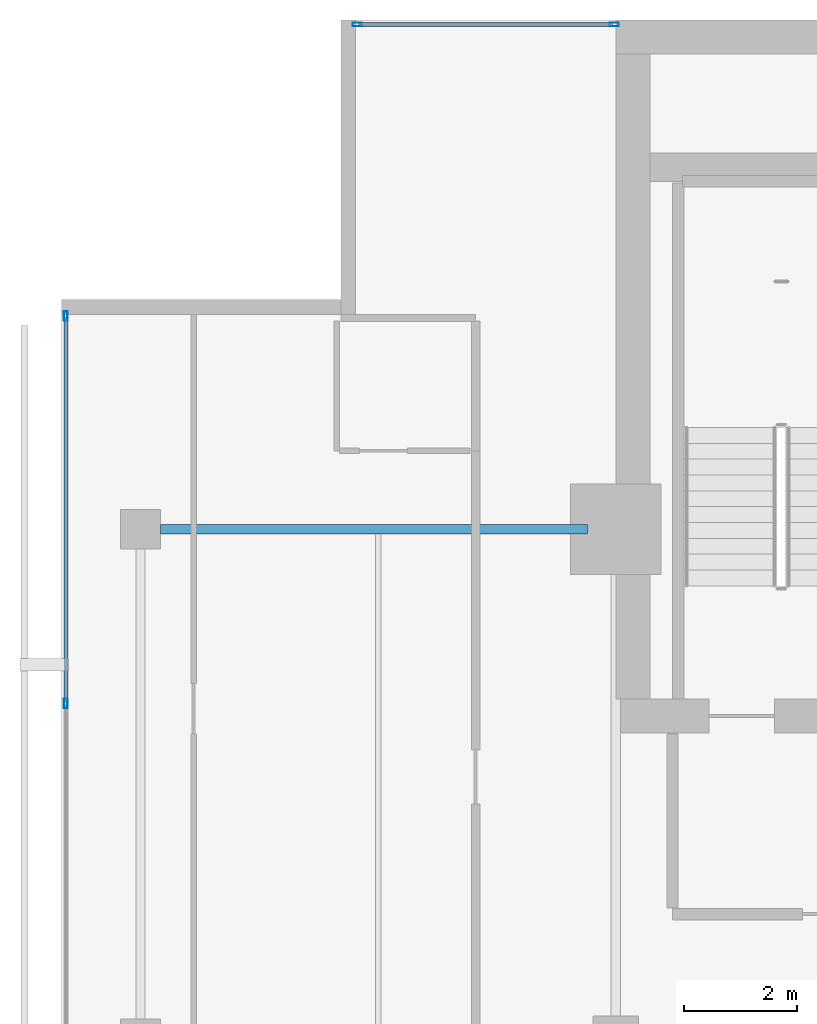
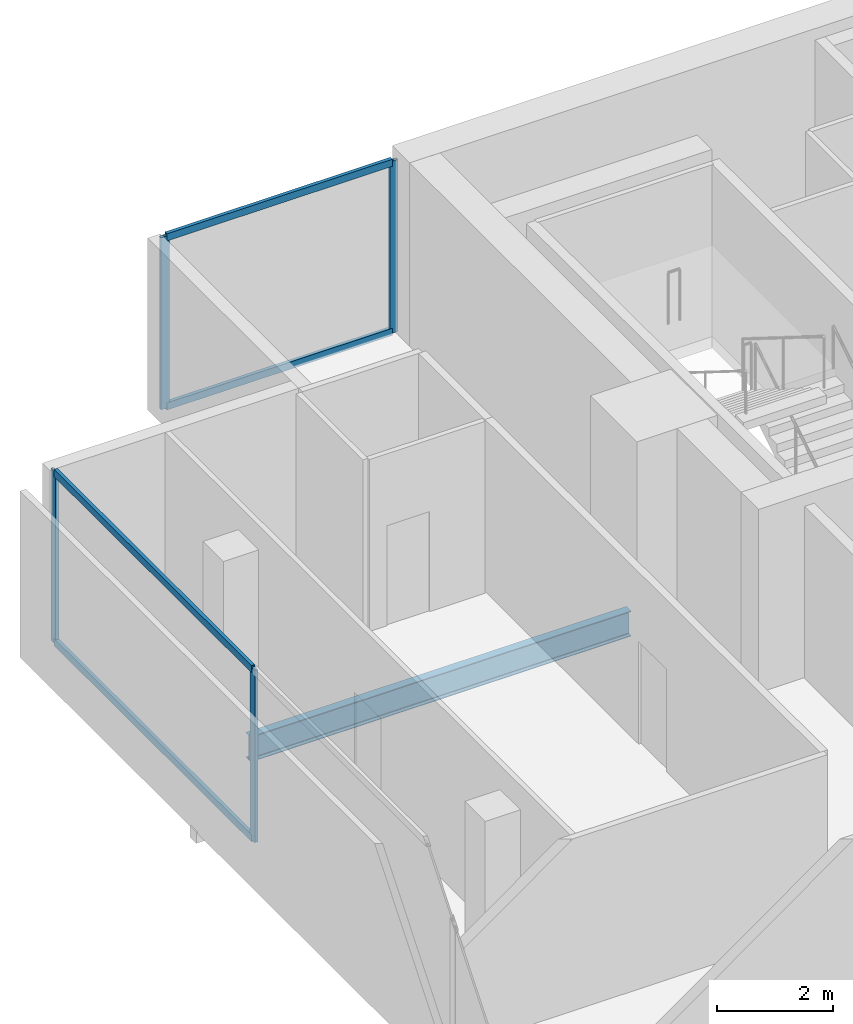
# One storey, part 16 of 25: 8 members, 1 beam, 2 elements without a shape of their own.
"""IFC4 building model written with IfcOpenShell, lengths in metres."""

from ifc_helpers import new_model, si_unit, direction, frame, origin, origin_2d, place, context, subcontext, project, spatial, hollow_rectangle, i_section, extrude, material, layer, layer_set, material_profile, profile_set, type_object, element, aggregate, save


model = new_model("IFC4")

# Units and contexts
model_context = context("Model", 3, precision=1e-05, world=origin(), true_north=direction((0.0, 1.0)))
body_context = subcontext(model_context, "Body", "Model", "MODEL_VIEW")
ifc_project = project(units=[si_unit("LENGTHUNIT", "METRE"), si_unit("AREAUNIT", "SQUARE_METRE"), si_unit("VOLUMEUNIT", "CUBIC_METRE"), si_unit("PLANEANGLEUNIT", "RADIAN"), si_unit("MASSUNIT", "GRAM", prefix="KILO")], contexts=[model_context])

# Site, building, storey
site_placement = place(None, origin())
site = spatial("IfcSite", under=ifc_project, at=site_placement, CompositionType="ELEMENT")
building_placement = place(site_placement, origin())
building = spatial("IfcBuilding", under=site, at=building_placement, Name="Maruvema Waterfront Hotel and Observation Tower", CompositionType="ELEMENT")
storey_placement = place(building_placement, frame((0.0, 0.0, 308.699951171875)))
storey = spatial("IfcBuildingStorey", under=building, at=storey_placement, Name="L76", CompositionType="ELEMENT", Elevation=308.699951171875)

# Curtain wall, members
ifc_material_1 = material(Name="Anodised bronze aluminium and solar-control low-E IGU", Category="aluminium")
ifc_layer = layer(ifc_material_1, 0.159912109375, Name="Zone 3 Champagne Inner Thermal Curtain Wall System CW-04")
ifc_layer_set = layer_set([ifc_layer], Name="Anodised bronze aluminium and solar-control low-E IGU")
curtain_wall_type = type_object("IfcCurtainWallType", Name="Zone 3 Champagne Inner Thermal Curtain Wall System CW-04", PredefinedType="USERDEFINED", material=ifc_layer_set)
curtain_wall_1_placement = place(storey_placement, origin())
curtain_wall_1 = element("IfcCurtainWall", 1, at=curtain_wall_1_placement, inside=storey, type_object=curtain_wall_type, Name="L76 Curtain Wall CW-L76-W", ObjectType="UNITISED CURTAIN WALL", PredefinedType="USERDEFINED")
ifc_material_2 = material(Name="Anodised architectural bronze aluminium", Category="aluminium")
ifc_material_profile_1 = material_profile(ifc_material_2, hollow_rectangle(XDim=0.070068359375, YDim=0.14990234375, WallThickness=0.00390625, at=origin_2d()), Name="ALU-T70x150")
ifc_profile_set_1 = profile_set([ifc_material_profile_1], Name="Anodised architectural bronze aluminium")
member_type_1 = type_object("IfcMemberType", Name="Curtain Wall Horizontal Transom ALU-T70x150", PredefinedType="USERDEFINED", material=ifc_profile_set_1)
member_1_placement = place(storey_placement, frame((15.47998046875, 48.739990234375, 0.030029296875), z_axis=(0.0, -1.0, 0.0), x_axis=(1.0, 0.0, 0.0)))
member_1 = element("IfcMember", 2, at=member_1_placement, type_object=member_type_1, Name="CW-04 transom 1.1", ObjectType="TRANSOM", PredefinedType="USERDEFINED", context=body_context, shape_type="SweptSolid", body=[
    extrude(hollow_rectangle(XDim=0.070068359375, YDim=0.14990234375, WallThickness=0.00390625, at=origin_2d()), origin(), (0.0, 0.0, 1.0), 6.7900390625),
])
member_2_placement = place(storey_placement, frame((15.47998046875, 48.739990234375, 3.580078125), z_axis=(0.0, -1.0, 0.0), x_axis=(1.0, 0.0, 0.0)))
member_2 = element("IfcMember", 3, at=member_2_placement, type_object=member_type_1, Name="CW-04 transom 1.2", ObjectType="TRANSOM", PredefinedType="USERDEFINED", context=body_context, shape_type="SweptSolid", body=[
    extrude(hollow_rectangle(XDim=0.070068359375, YDim=0.14990234375, WallThickness=0.00390625, at=origin_2d()), origin(), (0.0, 0.0, 1.0), 6.7900390625),
])

curtain_wall_2_placement = place(storey_placement, origin())
curtain_wall_2 = element("IfcCurtainWall", 4, at=curtain_wall_2_placement, inside=storey, type_object=curtain_wall_type, Name="L76 Curtain Wall CW-L76-NW", ObjectType="UNITISED CURTAIN WALL", PredefinedType="USERDEFINED")
member_3_placement = place(storey_placement, frame((25.139892578125, 53.919921875, 0.030029296875), z_axis=(-1.0, 0.0, 0.0), x_axis=(0.0, -1.0, 0.0)))
member_3 = element("IfcMember", 5, at=member_3_placement, type_object=member_type_1, Name="CW-04 transom 1.1", ObjectType="TRANSOM", PredefinedType="USERDEFINED", context=body_context, shape_type="SweptSolid", body=[
    extrude(hollow_rectangle(XDim=0.070068359375, YDim=0.14990234375, WallThickness=0.00390625, at=origin_2d()), origin(), (0.0, 0.0, 1.0), 4.47998046875),
])
member_4_placement = place(storey_placement, frame((25.139892578125, 53.919921875, 3.580078125), z_axis=(-1.0, 0.0, 0.0), x_axis=(0.0, -1.0, 0.0)))
member_4 = element("IfcMember", 6, at=member_4_placement, type_object=member_type_1, Name="CW-04 transom 1.2", ObjectType="TRANSOM", PredefinedType="USERDEFINED", context=body_context, shape_type="SweptSolid", body=[
    extrude(hollow_rectangle(XDim=0.070068359375, YDim=0.14990234375, WallThickness=0.00390625, at=origin_2d()), origin(), (0.0, 0.0, 1.0), 4.47998046875),
])

# Member
ifc_material_3 = material(Name="Anodised architectural bronze aluminium", Category="aluminium")
ifc_material_profile_2 = material_profile(ifc_material_3, hollow_rectangle(XDim=0.06494140625, YDim=0.1650390625, WallThickness=0.00390625, at=origin_2d()), Name="ALU-M65x165")
ifc_profile_set_2 = profile_set([ifc_material_profile_2], Name="Anodised architectural bronze aluminium")
member_type_2 = type_object("IfcMemberType", Name="Curtain Wall Primary Mullion ALU-M65x165", PredefinedType="MULLION", material=ifc_profile_set_2)
member_5_placement = place(storey_placement, frame((15.47998046875, 48.77001953125, 0.0), z_axis=(0.0, 0.0, 1.0), x_axis=(1.0, 0.0, 0.0)))
member_5 = element("IfcMember", 7, at=member_5_placement, type_object=member_type_2, Name="CW-04 mullion 1", PredefinedType="MULLION", context=body_context, shape_type="SweptSolid", body=[
    extrude(hollow_rectangle(XDim=0.06494140625, YDim=0.1650390625, WallThickness=0.00390625, at=origin_2d()), origin(), (0.0, 0.0, 1.0), 3.610107421875),
])

member_6_placement = place(storey_placement, frame((15.47998046875, 41.919921875, 0.0), z_axis=(0.0, 0.0, 1.0), x_axis=(1.0, 0.0, 0.0)))
member_6 = element("IfcMember", 8, at=member_6_placement, type_object=member_type_2, Name="CW-04 mullion 2", PredefinedType="MULLION", context=body_context, shape_type="SweptSolid", body=[
    extrude(hollow_rectangle(XDim=0.06494140625, YDim=0.1650390625, WallThickness=0.00390625, at=origin_2d()), origin(), (0.0, 0.0, 1.0), 3.610107421875),
])

aggregate(curtain_wall_1, [member_5, member_6, member_1, member_2])

member_7_placement = place(storey_placement, frame((25.169921875, 53.919921875, 0.0), z_axis=(0.0, 0.0, 1.0), x_axis=(0.0, -1.0, 0.0)))
member_7 = element("IfcMember", 9, at=member_7_placement, type_object=member_type_2, Name="CW-04 mullion 1", PredefinedType="MULLION", context=body_context, shape_type="SweptSolid", body=[
    extrude(hollow_rectangle(XDim=0.06494140625, YDim=0.1650390625, WallThickness=0.00390625, at=origin_2d()), origin(), (0.0, 0.0, 1.0), 3.610107421875),
])

member_8_placement = place(storey_placement, frame((20.6298828125, 53.919921875, 0.0), z_axis=(0.0, 0.0, 1.0), x_axis=(0.0, -1.0, 0.0)))
member_8 = element("IfcMember", 10, at=member_8_placement, type_object=member_type_2, Name="CW-04 mullion 2", PredefinedType="MULLION", context=body_context, shape_type="SweptSolid", body=[
    extrude(hollow_rectangle(XDim=0.06494140625, YDim=0.1650390625, WallThickness=0.00390625, at=origin_2d()), origin(), (0.0, 0.0, 1.0), 3.610107421875),
])

aggregate(curtain_wall_2, [member_7, member_8, member_3, member_4])

# Beam
ifc_material_4 = material(Name="Steel ASTM A572 Grade 50", Category="steel")
ifc_material_profile_3 = material_profile(ifc_material_4, i_section(OverallWidth=0.166015625, OverallDepth=0.529052734375, WebThickness=0.009765625, FlangeThickness=0.013671875, FilletRadius=0.014892578125, at=origin_2d()), Name="W530x74.0")
ifc_profile_set_3 = profile_set([ifc_material_profile_3], Name="Steel ASTM A572 Grade 50")
beam_type = type_object("IfcBeamType", Name="Primary Floor Girder W530x74.0", PredefinedType="BEAM", material=ifc_profile_set_3)
beam_placement = place(storey_placement, frame((17.14990234375, 45.0, -0.50439453125), z_axis=(1.0, 0.0, 0.0), x_axis=(0.0, 1.0, 0.0)))
element("IfcBeam", 11, at=beam_placement, inside=storey, type_object=beam_type, Name="L76 Floor Girder EW-17", PredefinedType="BEAM", context=body_context, shape_type="SweptSolid", body=[
    extrude(i_section(OverallWidth=0.166015625, OverallDepth=0.529052734375, WebThickness=0.009765625, FlangeThickness=0.013671875, FilletRadius=0.014892578125, at=origin_2d()), origin(), (0.0, 0.0, 1.0), 7.550048828125),
])

save(model, "model.ifc")
